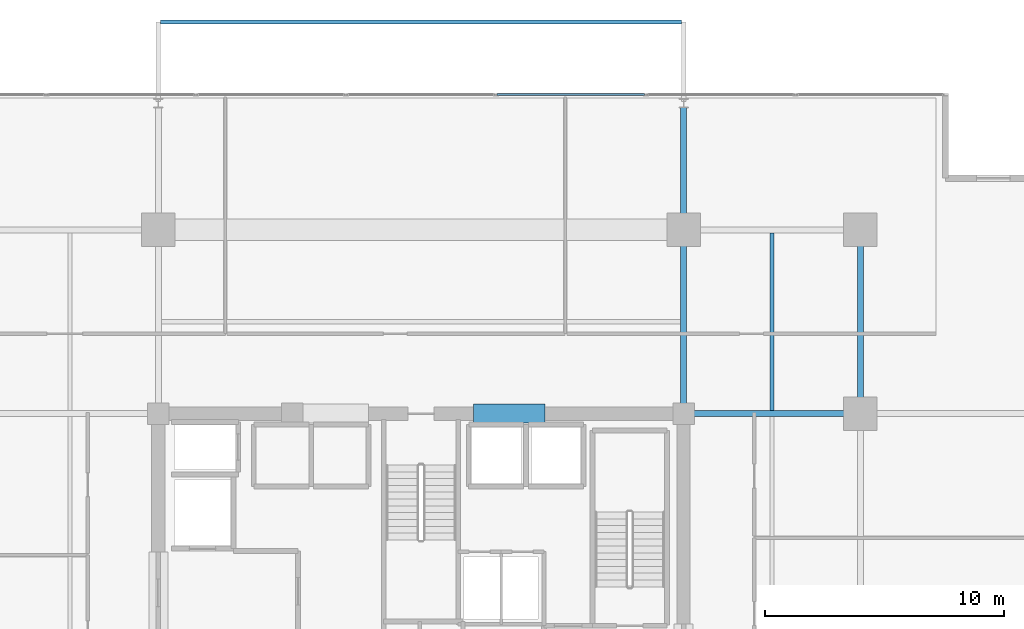
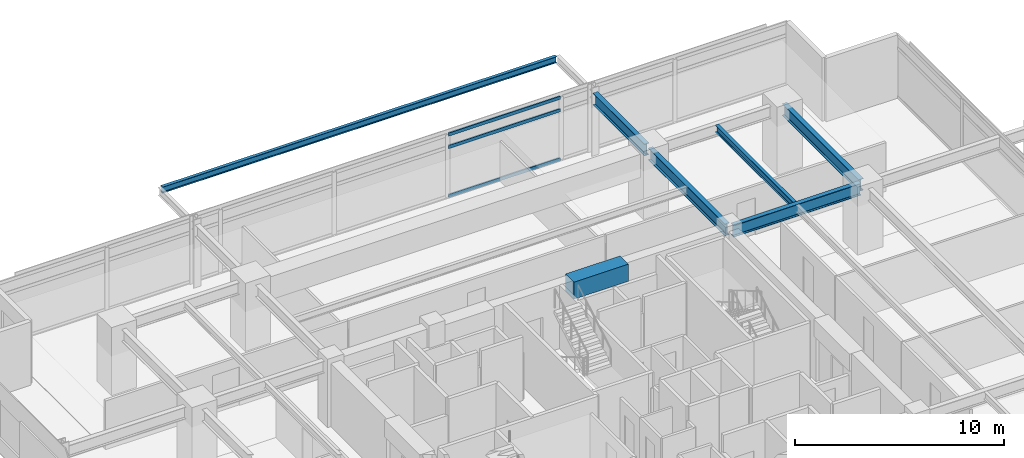
# One storey, part 10 of 22: 7 beams, 3 members, 1 element without a shape of its own.
"""IFC4 building model written with IfcOpenShell, lengths in metres."""

from ifc_helpers import new_model, si_unit, direction, frame, origin, origin_2d, place, context, subcontext, project, spatial, rectangle, hollow_rectangle, i_section, extrude, material, material_profile, profile_set, type_object, element, aggregate, save


model = new_model("IFC4")

# Units and contexts
model_context = context("Model", 3, precision=1e-05, world=origin(), true_north=direction((0.0, 1.0)))
body_context = subcontext(model_context, "Body", "Model", "MODEL_VIEW")
ifc_project = project(units=[si_unit("LENGTHUNIT", "METRE"), si_unit("AREAUNIT", "SQUARE_METRE"), si_unit("VOLUMEUNIT", "CUBIC_METRE"), si_unit("PLANEANGLEUNIT", "RADIAN"), si_unit("MASSUNIT", "GRAM", prefix="KILO")], contexts=[model_context])

# Site, building, storey
site_placement = place(None, origin())
site = spatial("IfcSite", under=ifc_project, at=site_placement, CompositionType="ELEMENT")
building_placement = place(site_placement, origin())
building = spatial("IfcBuilding", under=site, at=building_placement, Name="Kovane Verandah Tower", CompositionType="ELEMENT")
storey_placement = place(building_placement, frame((0.0, 0.0, 229.199951171875)))
storey = spatial("IfcBuildingStorey", under=building, at=storey_placement, Name="L53", CompositionType="ELEMENT", Elevation=229.199951171875)

# Beams
ifc_material_1 = material(Name="Concrete C60/75", Category="concrete")
ifc_material_profile_1 = material_profile(ifc_material_1, rectangle(XDim=0.800048828125, YDim=1.0, at=origin_2d()), Name="RCB800x1000")
ifc_profile_set_1 = profile_set([ifc_material_profile_1], Name="Concrete C60/75")
beam_type_1 = type_object("IfcBeamType", Name="BM-LINTEL-800x1000", PredefinedType="LINTEL", material=ifc_profile_set_1)
beam_1_placement = place(storey_placement, frame((42.199951171875, 36.5, 3.199951171875), z_axis=(1.0, 0.0, 0.0), x_axis=(0.0, 1.0, 0.0)))
element("IfcBeam", 1, at=beam_1_placement, inside=storey, type_object=beam_type_1, Name="L53 Core Coupling Lintel CL-N2", PredefinedType="LINTEL", context=body_context, shape_type="SweptSolid", body=[
    extrude(rectangle(XDim=0.800048828125, YDim=1.0, at=origin_2d()), origin(), (0.0, 0.0, 1.0), 3.0),
])
ifc_material_2 = material(Name="Steel S355", Category="steel")
ifc_material_profile_2 = material_profile(ifc_material_2, i_section(OverallWidth=0.255859375, OverallDepth=0.69287109375, WebThickness=0.014404296875, FlangeThickness=0.023681640625, FilletRadius=0.01513671875, at=origin_2d()), Name="UB686x254x170")
ifc_profile_set_2 = profile_set([ifc_material_profile_2], Name="Steel S355")
beam_type_2 = type_object("IfcBeamType", Name="BM-UB686x170", PredefinedType="BEAM", material=ifc_profile_set_2)
beam_2_placement = place(storey_placement, frame((58.39990234375, 36.679931640625, 3.353759765625), z_axis=(0.0, 1.0, 0.0), x_axis=(-1.0, 0.0, 0.0)))
element("IfcBeam", 2, at=beam_2_placement, inside=storey, type_object=beam_type_2, Name="L53 Primary Tower Girder G-RE3", PredefinedType="BEAM", context=body_context, shape_type="SweptSolid", body=[
    extrude(i_section(OverallWidth=0.255859375, OverallDepth=0.69287109375, WebThickness=0.014404296875, FlangeThickness=0.023681640625, FilletRadius=0.01513671875, at=origin_2d()), origin(), (0.0, 0.0, 1.0), 7.340087890625),
])
beam_3_placement = place(storey_placement, frame((51.179931640625, 36.5, 3.353759765625), z_axis=(1.0, 0.0, 0.0), x_axis=(0.0, 1.0, 0.0)))
element("IfcBeam", 3, at=beam_3_placement, inside=storey, type_object=beam_type_2, Name="L53 Primary Tower Girder G-E2", PredefinedType="BEAM", context=body_context, shape_type="SweptSolid", body=[
    extrude(i_section(OverallWidth=0.255859375, OverallDepth=0.69287109375, WebThickness=0.014404296875, FlangeThickness=0.023681640625, FilletRadius=0.01513671875, at=origin_2d()), origin(), (0.0, 0.0, 1.0), 7.0400390625),
])
beam_4_placement = place(storey_placement, frame((51.0, 36.679931640625, 3.353759765625), z_axis=(0.0, 1.0, 0.0), x_axis=(-1.0, 0.0, 0.0)))
element("IfcBeam", 4, at=beam_4_placement, inside=storey, type_object=beam_type_2, Name="L53 Primary Tower Girder G-N2", PredefinedType="BEAM", context=body_context, shape_type="SweptSolid", body=[
    extrude(i_section(OverallWidth=0.255859375, OverallDepth=0.69287109375, WebThickness=0.014404296875, FlangeThickness=0.023681640625, FilletRadius=0.01513671875, at=origin_2d()), origin(), (0.0, 0.0, 1.0), 7.340087890625),
])
beam_5_placement = place(storey_placement, frame((51.0, 44.3798828125, 3.353759765625), z_axis=(0.0, 1.0, 0.0), x_axis=(-1.0, 0.0, 0.0)))
element("IfcBeam", 5, at=beam_5_placement, inside=storey, type_object=beam_type_2, Name="L53 Primary Tower Girder G-VN2", PredefinedType="BEAM", context=body_context, shape_type="SweptSolid", body=[
    extrude(i_section(OverallWidth=0.255859375, OverallDepth=0.69287109375, WebThickness=0.014404296875, FlangeThickness=0.023681640625, FilletRadius=0.01513671875, at=origin_2d()), origin(), (0.0, 0.0, 1.0), 4.940185546875),
])

# Curtain wall, members
ifc_material_3 = material(Name="Champagne Anodised Aluminium Frame with Low-E Clear Laminated Glass", Category="aluminium")
curtain_wall_type = type_object("IfcCurtainWallType", Name="CW-SYS-03-MID", PredefinedType="NOTDEFINED", material=ifc_material_3)
curtain_wall_placement = place(storey_placement, origin())
curtain_wall = element("IfcCurtainWall", 6, at=curtain_wall_placement, inside=storey, type_object=curtain_wall_type, Name="L53 N Unitised Curtain Wall", PredefinedType="NOTDEFINED")
ifc_material_4 = material(Name="Champagne Anodised Aluminium 6063-T6", Category="aluminium")
ifc_material_profile_3 = material_profile(ifc_material_4, hollow_rectangle(XDim=0.0849609375, YDim=0.18994140625, WallThickness=0.00390625, at=origin_2d()), Name="AL85x190x4")
ifc_profile_set_3 = profile_set([ifc_material_profile_3], Name="Champagne Anodised Aluminium 6063-T6")
member_type = type_object("IfcMemberType", Name="CW-TRN-85x190", PredefinedType="USERDEFINED", material=ifc_profile_set_3)
member_1_placement = place(storey_placement, frame((49.365478515625, 49.860107421875, 0.050048828125), z_axis=(-1.0, 0.0, 0.0), x_axis=(0.0, -1.0, 0.0)))
member_1 = element("IfcMember", 7, at=member_1_placement, type_object=member_type, Name="L53 N Unitised Curtain Wall Transom TB Bay 3", ObjectType="TRANSOM", PredefinedType="USERDEFINED", context=body_context, shape_type="SweptSolid", body=[
    extrude(hollow_rectangle(XDim=0.0849609375, YDim=0.18994140625, WallThickness=0.00390625, at=origin_2d()), origin(), (0.0, 0.0, 1.0), 6.177001953125),
])
member_2_placement = place(storey_placement, frame((49.365478515625, 49.860107421875, 2.920166015625), z_axis=(-1.0, 0.0, 0.0), x_axis=(0.0, -1.0, 0.0)))
member_2 = element("IfcMember", 8, at=member_2_placement, type_object=member_type, Name="L53 N Unitised Curtain Wall Transom TM Bay 3", ObjectType="TRANSOM", PredefinedType="USERDEFINED", context=body_context, shape_type="SweptSolid", body=[
    extrude(hollow_rectangle(XDim=0.0849609375, YDim=0.18994140625, WallThickness=0.00390625, at=origin_2d()), origin(), (0.0, 0.0, 1.0), 6.177001953125),
])
member_3_placement = place(storey_placement, frame((49.365478515625, 49.860107421875, 3.650146484375), z_axis=(-1.0, 0.0, 0.0), x_axis=(0.0, -1.0, 0.0)))
member_3 = element("IfcMember", 9, at=member_3_placement, type_object=member_type, Name="L53 N Unitised Curtain Wall Transom TT Bay 3", ObjectType="TRANSOM", PredefinedType="USERDEFINED", context=body_context, shape_type="SweptSolid", body=[
    extrude(hollow_rectangle(XDim=0.0849609375, YDim=0.18994140625, WallThickness=0.00390625, at=origin_2d()), origin(), (0.0, 0.0, 1.0), 6.177001953125),
])
aggregate(curtain_wall, [member_1, member_2, member_3])

# Beams
ifc_material_profile_4 = material_profile(ifc_material_2, i_section(OverallWidth=0.179443359375, OverallDepth=0.412841796875, WebThickness=0.009521484375, FlangeThickness=0.01611328125, FilletRadius=0.01025390625, at=origin_2d()), Name="UB406x178x74")
ifc_profile_set_4 = profile_set([ifc_material_profile_4], Name="Steel S355")
beam_type_3 = type_object("IfcBeamType", Name="JST-UB406x74", PredefinedType="JOIST", material=ifc_profile_set_4)
beam_6_placement = place(storey_placement, frame((54.699951171875, 36.6259765625, 3.49365234375), z_axis=(0.0, 1.0, 0.0), x_axis=(-1.0, 0.0, 0.0)))
element("IfcBeam", 10, at=beam_6_placement, inside=storey, type_object=beam_type_3, Name="L53 Secondary Composite Joist J-NE1", PredefinedType="JOIST", context=body_context, shape_type="SweptSolid", body=[
    extrude(i_section(OverallWidth=0.179443359375, OverallDepth=0.412841796875, WebThickness=0.009521484375, FlangeThickness=0.01611328125, FilletRadius=0.01025390625, at=origin_2d()), origin(), (0.0, 0.0, 1.0), 7.4482421875),
])
ifc_material_profile_5 = material_profile(ifc_material_2, i_section(OverallWidth=0.173095703125, OverallDepth=0.36328125, WebThickness=0.009033203125, FlangeThickness=0.015625, FilletRadius=0.01025390625, at=origin_2d()), Name="UB356x171x67")
ifc_profile_set_5 = profile_set([ifc_material_profile_5], Name="Steel S355")
beam_type_4 = type_object("IfcBeamType", Name="SPD-UB356x67", PredefinedType="USERDEFINED", material=ifc_profile_set_5)
beam_7_placement = place(storey_placement, frame((29.094482421875, 52.899658203125, 3.518310546875), z_axis=(1.0, 0.0, 0.0), x_axis=(0.0, 1.0, 0.0)))
element("IfcBeam", 11, at=beam_7_placement, inside=storey, type_object=beam_type_4, Name="L53 North Planter Edge Spandrel", ObjectType="SPANDREL", PredefinedType="USERDEFINED", context=body_context, shape_type="SweptSolid", body=[
    extrude(i_section(OverallWidth=0.173095703125, OverallDepth=0.36328125, WebThickness=0.009033203125, FlangeThickness=0.015625, FilletRadius=0.01025390625, at=origin_2d()), origin(), (0.0, 0.0, 1.0), 21.81103515625),
])

save(model, "model.ifc")
